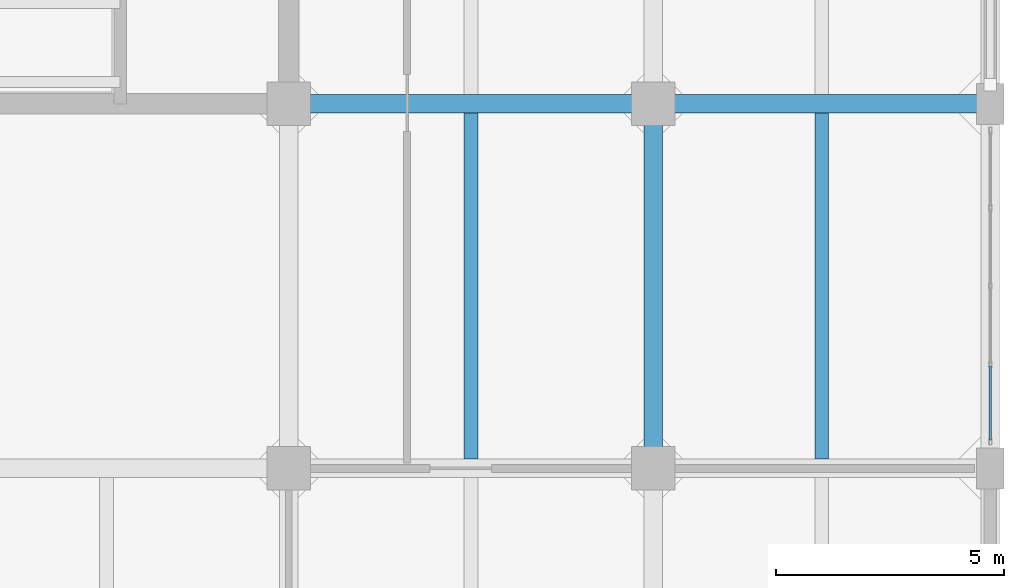
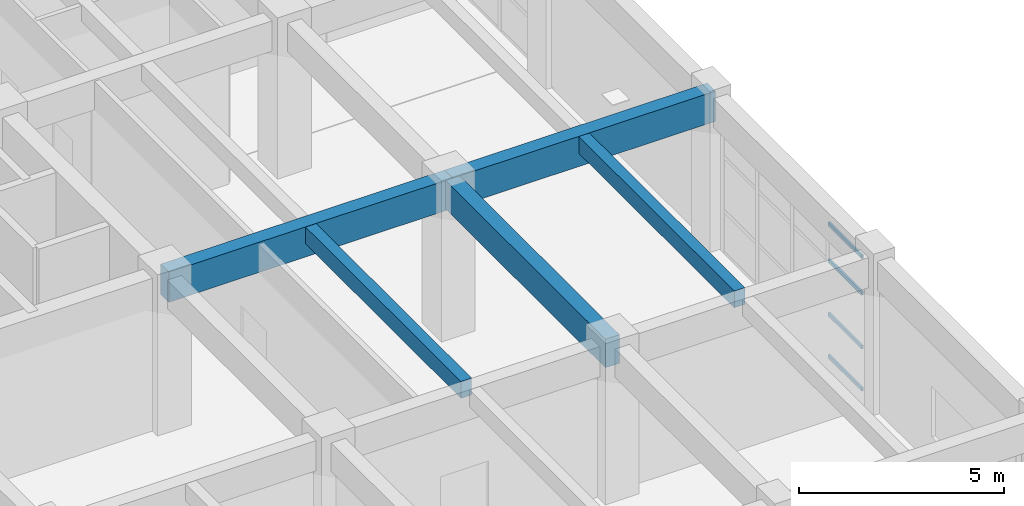
# One storey, part 29 of 63: 5 beams, 4 members, 1 element without a shape of its own.
"""IFC4 building model written with IfcOpenShell, lengths in metres."""

import ifcopenshell
import ifcopenshell.guid

model = None  # the IFC model being written
_history = None  # IfcOwnerHistory: only IFC2X3 demands one
_inside = {}  # id of a spatial element -> (the spatial element, [elements in it])
_under = {}  # id of a project, library or spatial element -> (it, [spatial elements below it])
_declared = {}  # id of a project -> (the project, [libraries it declares])
_typed = {}  # id of a type object -> (the type object, [elements of that type])
_made_of = {}  # id of a material, layer set ... -> (it, [elements and type objects made of it])


def new_model(schema):
    """Start an empty IFC model of exactly this schema.

    Asked for "IFC4X3", IfcOpenShell would pick the latest addendum, in which some entities
    have other attributes; the version numbers below select the first issue.
    IFC2X3 requires an IfcOwnerHistory on every rooted entity: one is made here for all.
    """
    global model, _history
    if schema == "IFC4X3":
        model = ifcopenshell.file(schema_version=(4, 3, 0, 0))
    else:
        model = ifcopenshell.file(schema=schema)
    _inside.clear()
    _under.clear()
    _declared.clear()
    _typed.clear()
    _made_of.clear()
    _history = None
    if model.schema == "IFC2X3":
        org = make("IfcOrganization", Name="unknown")
        user = make(
            "IfcPersonAndOrganization",
            ThePerson=make("IfcPerson", FamilyName="unknown"),
            TheOrganization=org,
        )
        app = make(
            "IfcApplication",
            ApplicationDeveloper=org,
            Version="unknown",
            ApplicationFullName="unknown",
            ApplicationIdentifier="unknown",
        )
        _history = make(
            "IfcOwnerHistory",
            OwningUser=user,
            OwningApplication=app,
            ChangeAction="ADDED",
            CreationDate=0,
        )
    return model


def make(cls, **values):
    """One entity of the class cls with the attributes given. An attribute that is None is left unset."""
    return model.create_entity(
        cls, **{name: value for name, value in values.items() if value is not None}
    )


def rooted(cls, **values):
    """An entity with a GlobalId (a new one), such as an element, a storey or a relation."""
    return make(cls, GlobalId=ifcopenshell.guid.new(), OwnerHistory=_history, **values)


def si_unit(unit_type, name, prefix=None):
    """IfcSIUnit, for example si_unit("LENGTHUNIT", "METRE", prefix="MILLI")."""
    return make("IfcSIUnit", UnitType=unit_type, Prefix=prefix, Name=name)


def assignment(units):
    """IfcUnitAssignment: the units of a project."""
    return None if units is None else make("IfcUnitAssignment", Units=units)


def point(xyz):
    """IfcCartesianPoint."""
    return None if xyz is None else make("IfcCartesianPoint", Coordinates=xyz)


def direction(xyz):
    """IfcDirection."""
    return None if xyz is None else make("IfcDirection", DirectionRatios=xyz)


def frame(location, z_axis=None, x_axis=None):
    """IfcAxis2Placement3D, a coordinate frame: its origin and axes. An axis left out is left unset."""
    return make(
        "IfcAxis2Placement3D",
        Location=point(location),
        Axis=direction(z_axis),
        RefDirection=direction(x_axis),
    )


def frame_2d(location, x_axis=None):
    """IfcAxis2Placement2D, a coordinate frame in the plane: its origin and x axis."""
    return make(
        "IfcAxis2Placement2D", Location=point(location), RefDirection=direction(x_axis)
    )


def origin():
    """The frame at (0, 0, 0) with its axes left unset."""
    return frame((0.0, 0.0, 0.0))


def origin_2d():
    """The frame at (0, 0) in the plane with its x axis left unset."""
    return frame_2d((0.0, 0.0))


def place(relative_to, where):
    """IfcLocalPlacement: puts the frame where relative to a parent placement (None: the world)."""
    return make(
        "IfcLocalPlacement", PlacementRelTo=relative_to, RelativePlacement=where
    )


def context(
    kind, dimensions, precision=None, world=None, true_north=None, identifier=None
):
    """IfcGeometricRepresentationContext, for example the 3D "Model" context."""
    return make(
        "IfcGeometricRepresentationContext",
        ContextIdentifier=identifier,
        ContextType=kind,
        CoordinateSpaceDimension=dimensions,
        Precision=precision,
        WorldCoordinateSystem=world,
        TrueNorth=true_north,
    )


def subcontext(parent, identifier, kind, view, scale=None):
    """IfcGeometricRepresentationSubContext, for example "Body" below "Model"."""
    return make(
        "IfcGeometricRepresentationSubContext",
        ContextIdentifier=identifier,
        ContextType=kind,
        ParentContext=parent,
        TargetScale=scale,
        TargetView=view,
    )


def project(units=None, contexts=None):
    """IfcProject with its units and contexts."""
    return rooted(
        "IfcProject",
        Name="project",
        RepresentationContexts=contexts,
        UnitsInContext=assignment(units),
    )


def spatial(cls, under=None, at=None, **own):
    """A site, building, storey or space (cls), placed at a placement, below another one or the project."""
    s = rooted(cls, ObjectPlacement=at, **own)
    if under is not None:
        _under.setdefault(under.id(), (under, []))[1].append(s)
    return s


def profile(cls, at=None, kind="AREA", **sizes):
    """A parametric profile (cls). Its sizes go by their IFC names, for example OverallWidth=200.0."""
    return make(cls, ProfileType=kind, Position=at, **sizes)


def rectangle(**sizes):
    """IfcRectangleProfileDef."""
    return profile("IfcRectangleProfileDef", **sizes)


def hollow_rectangle(**sizes):
    """IfcRectangleHollowProfileDef."""
    return profile("IfcRectangleHollowProfileDef", **sizes)


def extrude(swept, where, along, depth):
    """IfcExtrudedAreaSolid: the profile swept, set in the frame where, extruded along a direction by depth."""
    return make(
        "IfcExtrudedAreaSolid",
        SweptArea=swept,
        Position=where,
        ExtrudedDirection=direction(along),
        Depth=depth,
    )


def shape(context_of_items, identifier, shape_type, items):
    """IfcShapeRepresentation: the items that make up one representation, for example the "Body"."""
    return make(
        "IfcShapeRepresentation",
        ContextOfItems=context_of_items,
        RepresentationIdentifier=identifier,
        RepresentationType=shape_type,
        Items=items,
    )


def material(Name=None, Category=None):
    """IfcMaterial."""
    return make("IfcMaterial", Name=Name, Category=Category)


def layer(
    of_material, thickness, ventilated=None, Name=None, Category=None, Priority=None
):
    """IfcMaterialLayer: one layer of a wall or slab, of a material (None: an air gap)."""
    return make(
        "IfcMaterialLayer",
        Material=of_material,
        LayerThickness=thickness,
        IsVentilated=ventilated,
        Name=Name,
        Category=Category,
        Priority=Priority,
    )


def layer_set(layers, Name=None):
    """IfcMaterialLayerSet."""
    return make("IfcMaterialLayerSet", MaterialLayers=layers, LayerSetName=Name)


def material_profile(
    of_material, cross_section, Name=None, Category=None, Priority=None
):
    """IfcMaterialProfile: a cross section and its material."""
    return make(
        "IfcMaterialProfile",
        Name=Name,
        Material=of_material,
        Profile=cross_section,
        Priority=Priority,
        Category=Category,
    )


def profile_set(profiles, Name=None, composite=None):
    """IfcMaterialProfileSet."""
    return make(
        "IfcMaterialProfileSet",
        Name=Name,
        MaterialProfiles=profiles,
        CompositeProfile=composite,
    )


def made_of(thing, what):
    """Note that an element or type object is made of a material, layer set ...; save() writes the relation."""
    if what is not None:
        _made_of.setdefault(what.id(), (what, []))[1].append(thing)
    return thing


def type_object(cls, material=None, **own):
    """A type object (cls), such as IfcWallType, which elements share."""
    return made_of(rooted(cls, **own), material)


def element(
    cls,
    number,
    at=None,
    inside=None,
    cuts=None,
    type_object=None,
    material=None,
    context=None,
    identifier="Body",
    shape_type=None,
    held_by="IfcProductDefinitionShape",
    body=None,
    shapes=None,
    **own,
):
    """One element of the class cls, such as IfcWall. Its Tag is "e" and its number.

    at: its placement. inside: the storey or other place that contains it. cuts: it is an
    opening in that element (IfcRelVoidsElement). A single representation is given by context,
    identifier, shape_type and body (its items); several are given by shapes. held_by: the class
    of the entity that holds the representations. save() writes the other relations.
    """
    e = rooted(cls, Tag="e%d" % number, ObjectPlacement=at, **own)
    if body is not None:
        shapes = [shape(context, identifier, shape_type, body)]
    if shapes is not None:
        e.Representation = make(held_by, Representations=shapes)
    if inside is not None:
        _inside.setdefault(inside.id(), (inside, []))[1].append(e)
    if cuts is not None:
        rooted(
            "IfcRelVoidsElement", RelatingBuildingElement=cuts, RelatedOpeningElement=e
        )
    if type_object is not None:
        _typed.setdefault(type_object.id(), (type_object, []))[1].append(e)
    return made_of(e, material)


def aggregate(whole, parts):
    """IfcRelAggregates: a whole, such as a stair, and the parts it consists of."""
    return rooted("IfcRelAggregates", RelatingObject=whole, RelatedObjects=parts)


def save(model, path):
    """Write the relations noted so far, then the file.

    IfcRelAggregates (storeys below a building ...), IfcRelContainedInSpatialStructure (elements
    in a storey), IfcRelDefinesByType, IfcRelAssociatesMaterial and IfcRelDeclares: one each for
    every whole, place, type object, material and project.
    """
    for whole, parts in _under.values():
        aggregate(whole, parts)
    for where, things in _inside.values():
        rooted(
            "IfcRelContainedInSpatialStructure",
            RelatedElements=things,
            RelatingStructure=where,
        )
    for kind, things in _typed.values():
        rooted("IfcRelDefinesByType", RelatedObjects=things, RelatingType=kind)
    for what, things in _made_of.values():
        rooted("IfcRelAssociatesMaterial", RelatedObjects=things, RelatingMaterial=what)
    for by, libraries in _declared.values():
        rooted("IfcRelDeclares", RelatingContext=by, RelatedDefinitions=libraries)
    model.write(path)


model = new_model("IFC4")

# Units and contexts
model_context = context("Model", 3, precision=1e-05, world=origin(), true_north=direction((0.0, 1.0)))
body_context = subcontext(model_context, "Body", "Model", "MODEL_VIEW")
ifc_project = project(units=[si_unit("LENGTHUNIT", "METRE"), si_unit("AREAUNIT", "SQUARE_METRE"), si_unit("VOLUMEUNIT", "CUBIC_METRE"), si_unit("PLANEANGLEUNIT", "RADIAN"), si_unit("MASSUNIT", "GRAM", prefix="KILO")], contexts=[model_context])

# Site, building, storey
site_placement = place(None, origin())
site = spatial("IfcSite", under=ifc_project, at=site_placement, CompositionType="ELEMENT")
building_placement = place(site_placement, origin())
building = spatial("IfcBuilding", under=site, at=building_placement, Name="Canggui Botanical Conservatory", CompositionType="ELEMENT")
storey_placement = place(building_placement, frame((0.0, 0.0, 10.199951171875)))
storey = spatial("IfcBuildingStorey", under=building, at=storey_placement, Name="L03", CompositionType="ELEMENT", Elevation=10.199951171875)

# Beams
ifc_material_1 = material(Name="Concrete C35", Category="concrete")
ifc_material_profile_1 = material_profile(ifc_material_1, rectangle(XDim=0.300048828125, YDim=0.5, at=origin_2d()), Name="RB 300x500")
ifc_profile_set_1 = profile_set([ifc_material_profile_1], Name="Concrete C35")
beam_type_1 = type_object("IfcBeamType", Name="BM-JST02", PredefinedType="JOIST", material=ifc_profile_set_1)
for number, where, z_axis, x_axis, name in (
    (1, (166.0, 34.205078125, 4.300048828125), (0.0, 1.0, 0.0), (-1.0, 0.0, 0.0), "Secondary Floor Joist L03-4-2"),
    (2, (173.699951171875, 34.205078125, 4.300048828125), (0.0, 1.0, 0.0), (-1.0, 0.0, 0.0), "Secondary Floor Joist L03-5-2"),
):
    element("IfcBeam", number, at=place(storey_placement, frame(where, z_axis=z_axis, x_axis=x_axis)), inside=storey, type_object=beam_type_1, Name=name, PredefinedType="JOIST", context=body_context, shape_type="SweptSolid", body=[
        extrude(rectangle(XDim=0.300048828125, YDim=0.5, at=origin_2d()), origin(), (0.0, 0.0, 1.0), 7.58984375),
    ])
ifc_material_profile_2 = material_profile(ifc_material_1, rectangle(XDim=0.39990234375, YDim=0.89990234375, at=origin_2d()), Name="RB 400x900")
ifc_profile_set_2 = profile_set([ifc_material_profile_2], Name="Concrete C35")
beam_type_2 = type_object("IfcBeamType", Name="BM-KL07", PredefinedType="BEAM", material=ifc_profile_set_2)
beam_1_placement = place(storey_placement, frame((162.0, 42.0, 4.10009765625), z_axis=(1.0, 0.0, 0.0), x_axis=(0.0, 1.0, 0.0)))
element("IfcBeam", 3, at=beam_1_placement, inside=storey, type_object=beam_type_2, Name="Frame Girder L03 Y42-4", PredefinedType="BEAM", context=body_context, shape_type="SweptSolid", body=[
    extrude(rectangle(XDim=0.39990234375, YDim=0.89990234375, at=origin_2d()), origin(), (0.0, 0.0, 1.0), 8.0),
])
beam_2_placement = place(storey_placement, frame((170.0, 42.0, 4.10009765625), z_axis=(1.0, 0.0, 0.0), x_axis=(0.0, 1.0, 0.0)))
element("IfcBeam", 4, at=beam_2_placement, inside=storey, type_object=beam_type_2, Name="Frame Girder L03 Y42-5", PredefinedType="BEAM", context=body_context, shape_type="SweptSolid", body=[
    extrude(rectangle(XDim=0.39990234375, YDim=0.89990234375, at=origin_2d()), origin(), (0.0, 0.0, 1.0), 7.39990234375),
])
ifc_material_profile_3 = material_profile(ifc_material_1, rectangle(XDim=0.39990234375, YDim=0.85009765625, at=origin_2d()), Name="RB 400x850")
ifc_profile_set_3 = profile_set([ifc_material_profile_3], Name="Concrete C35")
beam_type_3 = type_object("IfcBeamType", Name="BM-KL08", PredefinedType="BEAM", material=ifc_profile_set_3)
beam_3_placement = place(storey_placement, frame((170.0, 34.0, 4.125), z_axis=(0.0, 1.0, 0.0), x_axis=(-1.0, 0.0, 0.0)))
element("IfcBeam", 5, at=beam_3_placement, inside=storey, type_object=beam_type_3, Name="Frame Girder L03 X170-2", PredefinedType="BEAM", context=body_context, shape_type="SweptSolid", body=[
    extrude(rectangle(XDim=0.39990234375, YDim=0.85009765625, at=origin_2d()), origin(), (0.0, 0.0, 1.0), 8.0),
])

# Curtain wall, members
ifc_material_2 = material(Name="Thermally Broken Aluminium", Category="aluminium")
ifc_layer = layer(ifc_material_2, 0.14990234375, Name="Thermally Broken Aluminium", Category="aluminium")
ifc_layer_set = layer_set([ifc_layer], Name="Thermally Broken Aluminium")
curtain_wall_type = type_object("IfcCurtainWallType", Name="CW-UNIT-C", PredefinedType="USERDEFINED", material=ifc_layer_set)
curtain_wall_placement = place(storey_placement, origin())
curtain_wall = element("IfcCurtainWall", 6, at=curtain_wall_placement, inside=storey, type_object=curtain_wall_type, Name="Facade Curtain Wall CW-TWR-L03-25", ObjectType="UNITISED CURTAIN WALL", PredefinedType="USERDEFINED")
ifc_material_profile_4 = material_profile(ifc_material_2, hollow_rectangle(XDim=0.054931640625, YDim=0.110107421875, WallThickness=0.0029296875, at=origin_2d()), Name="CWT 55x110x3")
ifc_profile_set_4 = profile_set([ifc_material_profile_4], Name="Thermally Broken Aluminium")
member_type = type_object("IfcMemberType", Name="CWT-03", PredefinedType="USERDEFINED", material=ifc_profile_set_4)
member_1_placement = place(storey_placement, frame((177.39990234375, 36.25, 0.027587890625), z_axis=(0.0, -1.0, 0.0), x_axis=(1.0, 0.0, 0.0)))
member_1 = element("IfcMember", 7, at=member_1_placement, type_object=member_type, Name="CW-03 transom 4.1", ObjectType="TRANSOM", PredefinedType="USERDEFINED", context=body_context, shape_type="SweptSolid", body=[
    extrude(hollow_rectangle(XDim=0.054931640625, YDim=0.110107421875, WallThickness=0.0029296875, at=origin_2d()), origin(), (0.0, 0.0, 1.0), 1.6298828125),
])
member_2_placement = place(storey_placement, frame((177.39990234375, 36.25, 1.280029296875), z_axis=(0.0, -1.0, 0.0), x_axis=(1.0, 0.0, 0.0)))
member_2 = element("IfcMember", 8, at=member_2_placement, type_object=member_type, Name="CW-03 transom 4.2", ObjectType="TRANSOM", PredefinedType="USERDEFINED", context=body_context, shape_type="SweptSolid", body=[
    extrude(hollow_rectangle(XDim=0.054931640625, YDim=0.110107421875, WallThickness=0.0029296875, at=origin_2d()), origin(), (0.0, 0.0, 1.0), 1.6298828125),
])
member_3_placement = place(storey_placement, frame((177.39990234375, 36.25, 2.880126953125), z_axis=(0.0, -1.0, 0.0), x_axis=(1.0, 0.0, 0.0)))
member_3 = element("IfcMember", 9, at=member_3_placement, type_object=member_type, Name="CW-03 transom 4.3", ObjectType="TRANSOM", PredefinedType="USERDEFINED", context=body_context, shape_type="SweptSolid", body=[
    extrude(hollow_rectangle(XDim=0.054931640625, YDim=0.110107421875, WallThickness=0.0029296875, at=origin_2d()), origin(), (0.0, 0.0, 1.0), 1.6298828125),
])
member_4_placement = place(storey_placement, frame((177.39990234375, 36.25, 3.97265625), z_axis=(0.0, -1.0, 0.0), x_axis=(1.0, 0.0, 0.0)))
member_4 = element("IfcMember", 10, at=member_4_placement, type_object=member_type, Name="CW-03 transom 4.4", ObjectType="TRANSOM", PredefinedType="USERDEFINED", context=body_context, shape_type="SweptSolid", body=[
    extrude(hollow_rectangle(XDim=0.054931640625, YDim=0.110107421875, WallThickness=0.0029296875, at=origin_2d()), origin(), (0.0, 0.0, 1.0), 1.6298828125),
])
aggregate(curtain_wall, [member_1, member_2, member_3, member_4])

save(model, "model.ifc")
